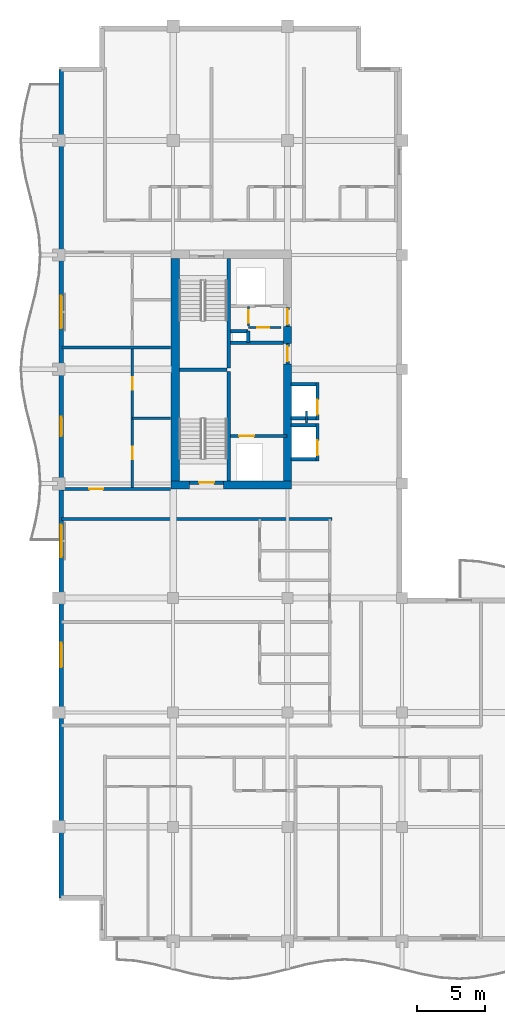
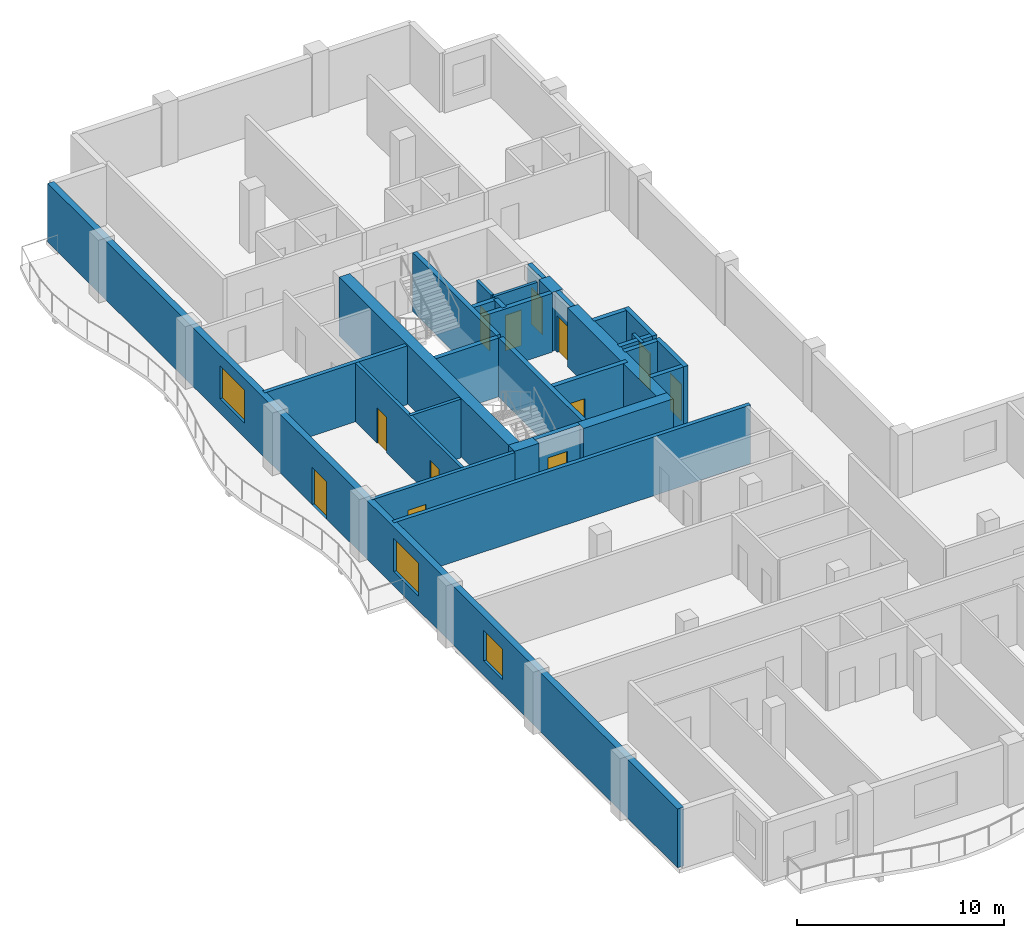
# One storey, part 9 of 16: 30 walls, 12 doors, 3 windows, 15 openings.
"""IFC4 building model written with IfcOpenShell, lengths in metres."""

from ifc_helpers import new_model, si_unit, direction, frame, frame_2d, origin, place, context, subcontext, project, spatial, rectangle, extrude, material, layer, layer_set, type_object, element, fill, save


model = new_model("IFC4")

# Units and contexts
model_context = context("Model", 3, precision=1e-05, world=origin(), true_north=direction((0.0, 1.0)))
body_context = subcontext(model_context, "Body", "Model", "MODEL_VIEW")
ifc_project = project(units=[si_unit("LENGTHUNIT", "METRE"), si_unit("AREAUNIT", "SQUARE_METRE"), si_unit("VOLUMEUNIT", "CUBIC_METRE"), si_unit("PLANEANGLEUNIT", "RADIAN"), si_unit("MASSUNIT", "GRAM", prefix="KILO")], contexts=[model_context])

# Site, building, storey
site_placement = place(None, origin())
site = spatial("IfcSite", under=ifc_project, at=site_placement, CompositionType="ELEMENT")
building_placement = place(site_placement, origin())
building = spatial("IfcBuilding", under=site, at=building_placement, Name="Koriwani Terraces Tower", CompositionType="ELEMENT")
storey_placement = place(building_placement, frame((0.0, 0.0, 260.10009765625)))
storey = spatial("IfcBuildingStorey", under=building, at=storey_placement, Name="L64", CompositionType="ELEMENT", Elevation=260.10009765625)

# Walls
ifc_material_1 = material(Name="Concrete C60/75", Category="concrete")
ifc_layer_1 = layer(ifc_material_1, 0.60009765625, Name="Concrete C60/75")
ifc_layer_set_1 = layer_set([ifc_layer_1], Name="Concrete C60/75")
wall_type_1 = type_object("IfcWallType", Name="WALL_CORE_RC_600", PredefinedType="SHEAR", material=ifc_layer_set_1)
wall_1_placement = place(storey_placement, frame((16.64990234375, 41.89990234375, 0.0), z_axis=(0.0, 0.0, 1.0), x_axis=(1.0, 0.0, 0.0)))
element("IfcWall", 1, at=wall_1_placement, inside=storey, type_object=wall_type_1, Name="L64 West Split Core Shear Wall S1", PredefinedType="SHEAR", context=body_context, shape_type="SweptSolid", body=[
    extrude(rectangle(XDim=1.35009765625, YDim=0.60009765625, at=frame_2d((0.675048828125, 0.0))), origin(), (0.0, 0.0, 1.0), 3.469970703125),
])
wall_2_placement = place(storey_placement, frame((20.5, 41.89990234375, 0.0), z_axis=(0.0, 0.0, 1.0), x_axis=(1.0, 0.0, 0.0)))
element("IfcWall", 2, at=wall_2_placement, inside=storey, type_object=wall_type_1, Name="L64 West Split Core Shear Wall S2", PredefinedType="SHEAR", context=body_context, shape_type="SweptSolid", body=[
    extrude(rectangle(XDim=5.0, YDim=0.60009765625, at=frame_2d((2.5, 0.0))), origin(), (0.0, 0.0, 1.0), 3.469970703125),
])
wall_3_placement = place(storey_placement, frame((16.949951171875, 42.199951171875, 0.0), z_axis=(0.0, 0.0, 1.0), x_axis=(0.0, 1.0, 0.0)))
element("IfcWall", 3, at=wall_3_placement, inside=storey, type_object=wall_type_1, Name="L64 West Split Core Shear Wall W1", PredefinedType="SHEAR", context=body_context, shape_type="SweptSolid", body=[
    extrude(rectangle(XDim=16.35009765625, YDim=0.60009765625, at=frame_2d((8.175048828125, 0.0))), origin(), (0.0, 0.0, 1.0), 3.469970703125),
])
wall_4_placement = place(storey_placement, frame((25.199951171875, 42.199951171875, 0.0), z_axis=(0.0, 0.0, 1.0), x_axis=(0.0, 1.0, 0.0)))
element("IfcWall", 4, at=wall_4_placement, inside=storey, type_object=wall_type_1, Name="L64 West Split Core Shear Wall E1", PredefinedType="SHEAR", context=body_context, shape_type="SweptSolid", body=[
    extrude(rectangle(XDim=8.60009765625, YDim=0.60009765625, at=frame_2d((4.300048828125, 0.0))), origin(), (0.0, 0.0, 1.0), 3.469970703125),
])
wall_5_placement = place(storey_placement, frame((25.199951171875, 52.280029296875, 0.0), z_axis=(0.0, 0.0, 1.0), x_axis=(0.0, 1.0, 0.0)))
element("IfcWall", 5, at=wall_5_placement, inside=storey, type_object=wall_type_1, Name="L64 West Split Core Shear Wall E2", PredefinedType="SHEAR", context=body_context, shape_type="SweptSolid", body=[
    extrude(rectangle(XDim=1.27001953125, YDim=0.60009765625, at=frame_2d((0.635009765625, 0.0))), origin(), (0.0, 0.0, 1.0), 3.469970703125),
])

# Wall, opening, door
ifc_material_2 = material(Name="Autoclaved Cellular Concrete Blockwork", Category="masonry")
ifc_layer_2 = layer(ifc_material_2, 0.199951171875, Name="Autoclaved Cellular Concrete Blockwork")
ifc_layer_set_2 = layer_set([ifc_layer_2], Name="Autoclaved Cellular Concrete Blockwork")
wall_type_2 = type_object("IfcWallType", Name="WALL_CORRIDOR_200", PredefinedType="PARTITIONING", material=ifc_layer_set_2)
wall_6_placement = place(storey_placement, frame((8.64990234375, 41.60009765625, 0.0), z_axis=(0.0, 0.0, 1.0), x_axis=(1.0, 0.0, 0.0)))
wall_6 = element("IfcWall", 6, at=wall_6_placement, inside=storey, type_object=wall_type_2, Name="L64 Interior Wall WRZ4-WS-L64", PredefinedType="PARTITIONING", context=body_context, shape_type="SweptSolid", body=[
    extrude(rectangle(XDim=7.9501953125, YDim=0.199951171875, at=frame_2d((3.97509765625, 0.0))), origin(), (0.0, 0.0, 1.0), 3.469970703125),
])
opening_1_placement = place(wall_6_placement, frame((2.0, 0.0, 0.0)))
opening_1 = element("IfcOpeningElement", 7, at=opening_1_placement, cuts=wall_6, Name="Opening D-05", PredefinedType="OPENING", context=body_context, shape_type="SweptSolid", body=[
    extrude(rectangle(XDim=1.0, YDim=2.14990234375, at=frame_2d((0.5, 1.074951171875))), frame((0.0, 0.10986328125, 0.0), z_axis=(0.0, -1.0, 0.0), x_axis=(1.0, 0.0, 0.0)), (0.0, 0.0, 1.0), 0.219970703125),
])
ifc_material_3 = material(Name="Architectural Oak Fire Door", Category="wood")
door_type_1 = type_object("IfcDoorType", Name="DOOR_SUITE_ENTRY_1000X2150", OperationType="NOTDEFINED", PredefinedType="DOOR", material=ifc_material_3)
door_1_placement = place(opening_1_placement, origin())
door_1 = element("IfcDoor", 8, at=door_1_placement, inside=storey, type_object=door_type_1, Name="Apartment 64RW1 Entrance Door", OperationType="SINGLE_SWING_LEFT", OverallHeight=2.14990234375, OverallWidth=1.0, PredefinedType="DOOR", context=body_context, shape_type="SweptSolid", body=[
    extrude(rectangle(XDim=1.0, YDim=2.14990234375, at=frame_2d((0.5, 1.074951171875))), frame((0.0, 0.02490234375, 0.0), z_axis=(0.0, -1.0, 0.0), x_axis=(1.0, 0.0, 0.0)), (0.0, 0.0, 1.0), 0.050048828125),
])
fill(opening_1, door_1)

# Walls
ifc_layer_3 = layer(ifc_material_2, 0.219970703125, Name="Autoclaved Cellular Concrete Blockwork")
ifc_layer_set_3 = layer_set([ifc_layer_3], Name="Autoclaved Cellular Concrete Blockwork")
wall_type_3 = type_object("IfcWallType", Name="WALL_DEMISING_220", PredefinedType="PARTITIONING", material=ifc_layer_set_3)
wall_7_placement = place(storey_placement, frame((8.64990234375, 52.0, 0.0), z_axis=(0.0, 0.0, 1.0), x_axis=(1.0, 0.0, 0.0)))
element("IfcWall", 9, at=wall_7_placement, inside=storey, type_object=wall_type_3, Name="L64 Interior Wall WRZ4-WM-L64", PredefinedType="PARTITIONING", context=body_context, shape_type="SweptSolid", body=[
    extrude(rectangle(XDim=7.9501953125, YDim=0.219970703125, at=frame_2d((3.97509765625, 0.0))), origin(), (0.0, 0.0, 1.0), 3.469970703125),
])
wall_8_placement = place(storey_placement, frame((8.60009765625, 39.39990234375, 0.0), z_axis=(0.0, 0.0, 1.0), x_axis=(1.0, 0.0, 0.0)))
element("IfcWall", 10, at=wall_8_placement, inside=storey, type_object=wall_type_3, Name="L64 Interior Wall WRDEME-L64-NE", PredefinedType="PARTITIONING", context=body_context, shape_type="SweptSolid", body=[
    extrude(rectangle(XDim=19.8798828125, YDim=0.219970703125, at=frame_2d((9.93994140625, 0.0))), origin(), (0.0, 0.0, 1.0), 3.469970703125),
])

# Wall, openings, door, windows
ifc_material_4 = material(Name="Concrete C50/60", Category="concrete")
ifc_layer_4 = layer(ifc_material_4, 0.35009765625, Name="Concrete C50/60")
ifc_layer_set_4 = layer_set([ifc_layer_4], Name="Concrete C50/60")
wall_type_4 = type_object("IfcWallType", Name="WALL_EXT_BRUTALIST_350", PredefinedType="STANDARD", material=ifc_layer_set_4)
wall_9_placement = place(storey_placement, frame((8.574951171875, 11.574951171875, 0.0), z_axis=(0.0, 0.0, 1.0), x_axis=(0.0, 1.0, 0.0)))
wall_9 = element("IfcWall", 11, at=wall_9_placement, inside=storey, type_object=wall_type_4, Name="L64 Fair-Faced Brutalist Exterior Wall (W)", PredefinedType="STANDARD", context=body_context, shape_type="SweptSolid", body=[
    extrude(rectangle(XDim=60.85009765625, YDim=0.35009765625, at=frame_2d((30.425048828125, 0.0))), origin(), (0.0, 0.0, 1.0), 3.469970703125),
])
opening_2_placement = place(wall_9_placement, frame((33.925048828125, 0.0, 0.0)))
opening_2 = element("IfcOpeningElement", 12, at=opening_2_placement, cuts=wall_9, Name="Opening D-09", PredefinedType="OPENING", context=body_context, shape_type="SweptSolid", body=[
    extrude(rectangle(XDim=1.39990234375, YDim=2.199951171875, at=frame_2d((0.699951171875, 1.10009765625))), frame((0.0, 0.18505859375, 0.0), z_axis=(0.0, -1.0, 0.0), x_axis=(1.0, 0.0, 0.0)), (0.0, 0.0, 1.0), 0.3701171875),
])
opening_3_placement = place(wall_9_placement, frame((16.925048828125, 0.0, 0.85009765625)))
opening_3 = element("IfcOpeningElement", 13, at=opening_3_placement, cuts=wall_9, Name="Opening W-04", PredefinedType="OPENING", context=body_context, shape_type="SweptSolid", body=[
    extrude(rectangle(XDim=1.800048828125, YDim=1.800048828125, at=frame_2d((0.89990234375, 0.89990234375))), frame((0.0, 0.18505859375, 0.0), z_axis=(0.0, -1.0, 0.0), x_axis=(1.0, 0.0, 0.0)), (0.0, 0.0, 1.0), 0.3701171875),
])
opening_4_placement = place(wall_9_placement, frame((25.02490234375, 0.0, 0.85009765625)))
opening_4 = element("IfcOpeningElement", 14, at=opening_4_placement, cuts=wall_9, Name="Opening W-03", PredefinedType="OPENING", context=body_context, shape_type="SweptSolid", body=[
    extrude(rectangle(XDim=2.39990234375, YDim=1.949951171875, at=frame_2d((1.199951171875, 0.97509765625))), frame((0.0, 0.18505859375, 0.0), z_axis=(0.0, -1.0, 0.0), x_axis=(1.0, 0.0, 0.0)), (0.0, 0.0, 1.0), 0.3701171875),
])
opening_5_placement = place(wall_9_placement, frame((41.824951171875, 0.0, 0.85009765625)))
opening_5 = element("IfcOpeningElement", 15, at=opening_5_placement, cuts=wall_9, Name="Opening W-03", PredefinedType="OPENING", context=body_context, shape_type="SweptSolid", body=[
    extrude(rectangle(XDim=2.39990234375, YDim=1.949951171875, at=frame_2d((1.199951171875, 0.97509765625))), frame((0.0, 0.18505859375, 0.0), z_axis=(0.0, -1.0, 0.0), x_axis=(1.0, 0.0, 0.0)), (0.0, 0.0, 1.0), 0.3701171875),
])
ifc_material_5 = material(Name="Anodised Bronze Aluminium", Category="aluminium")
door_type_2 = type_object("IfcDoorType", Name="DOOR_BALCONY_GLAZED_1400X2200", OperationType="NOTDEFINED", PredefinedType="DOOR", material=ifc_material_5)
door_2_placement = place(opening_2_placement, origin())
door_2 = element("IfcDoor", 16, at=door_2_placement, inside=storey, type_object=door_type_2, Name="L64 West Balcony Glazed Door", OperationType="SINGLE_SWING_LEFT", OverallHeight=2.199951171875, OverallWidth=1.39990234375, PredefinedType="DOOR", context=body_context, shape_type="SweptSolid", body=[
    extrude(rectangle(XDim=1.39990234375, YDim=2.199951171875, at=frame_2d((0.699951171875, 1.10009765625))), frame((0.0, 0.02490234375, 0.0), z_axis=(0.0, -1.0, 0.0), x_axis=(1.0, 0.0, 0.0)), (0.0, 0.0, 1.0), 0.050048828125),
])
fill(opening_2, door_2)
ifc_material_6 = material(Name="Tempered Laminated Low-E Glass", Category="glass")
window_type_1 = type_object("IfcWindowType", Name="WIN_RES_BED_1800X1800", PartitioningType="DOUBLE_PANEL_VERTICAL", PredefinedType="WINDOW", material=ifc_material_6)
window_1_placement = place(opening_3_placement, origin())
window_1 = element("IfcWindow", 17, at=window_1_placement, inside=storey, type_object=window_type_1, Name="L64 Exterior Window (W-6)", OverallHeight=1.800048828125, OverallWidth=1.800048828125, PartitioningType="SINGLE_PANEL", PredefinedType="WINDOW", context=body_context, shape_type="SweptSolid", body=[
    extrude(rectangle(XDim=1.800048828125, YDim=1.800048828125, at=frame_2d((0.89990234375, 0.89990234375))), frame((0.0, 0.030029296875, 0.0), z_axis=(0.0, -1.0, 0.0), x_axis=(1.0, 0.0, 0.0)), (0.0, 0.0, 1.0), 0.06005859375),
])
fill(opening_3, window_1)
window_type_2 = type_object("IfcWindowType", Name="WIN_RES_LIVING_2400X1950", PartitioningType="DOUBLE_PANEL_VERTICAL", PredefinedType="WINDOW", material=ifc_material_6)
window_2_placement = place(opening_4_placement, origin())
window_2 = element("IfcWindow", 18, at=window_2_placement, inside=storey, type_object=window_type_2, Name="L64 Exterior Window (W-9)", OverallHeight=1.949951171875, OverallWidth=2.39990234375, PartitioningType="SINGLE_PANEL", PredefinedType="WINDOW", context=body_context, shape_type="SweptSolid", body=[
    extrude(rectangle(XDim=2.39990234375, YDim=1.949951171875, at=frame_2d((1.199951171875, 0.97509765625))), frame((0.0, 0.030029296875, 0.0), z_axis=(0.0, -1.0, 0.0), x_axis=(1.0, 0.0, 0.0)), (0.0, 0.0, 1.0), 0.06005859375),
])
fill(opening_4, window_2)
window_3_placement = place(opening_5_placement, origin())
window_3 = element("IfcWindow", 19, at=window_3_placement, inside=storey, type_object=window_type_2, Name="L64 Exterior Window (W-15)", OverallHeight=1.949951171875, OverallWidth=2.39990234375, PartitioningType="SINGLE_PANEL", PredefinedType="WINDOW", context=body_context, shape_type="SweptSolid", body=[
    extrude(rectangle(XDim=2.39990234375, YDim=1.949951171875, at=frame_2d((1.199951171875, 0.97509765625))), frame((0.0, 0.030029296875, 0.0), z_axis=(0.0, -1.0, 0.0), x_axis=(1.0, 0.0, 0.0)), (0.0, 0.0, 1.0), 0.06005859375),
])
fill(opening_5, window_3)

# Wall, openings, doors
ifc_material_7 = material(Name="Fire-Rated Acoustic Gypsum Partition", Category="masonry")
ifc_layer_5 = layer(ifc_material_7, 0.179931640625, Name="Fire-Rated Acoustic Gypsum Partition")
ifc_layer_set_5 = layer_set([ifc_layer_5], Name="Fire-Rated Acoustic Gypsum Partition")
wall_type_5 = type_object("IfcWallType", Name="WALL_PLUMBING_180", PredefinedType="PLUMBINGWALL", material=ifc_layer_set_5)
wall_10_placement = place(storey_placement, frame((13.800048828125, 41.699951171875, 0.0), z_axis=(0.0, 0.0, 1.0), x_axis=(0.0, 1.0, 0.0)))
wall_10 = element("IfcWall", 20, at=wall_10_placement, inside=storey, type_object=wall_type_5, Name="L64 Interior Wall WRZ4-RW1-PB-L64", PredefinedType="PLUMBINGWALL", context=body_context, shape_type="SweptSolid", body=[
    extrude(rectangle(XDim=10.199951171875, YDim=0.179931640625, at=frame_2d((5.10009765625, 0.0))), origin(), (0.0, 0.0, 1.0), 3.469970703125),
])
opening_6_placement = place(wall_10_placement, frame((2.10009765625, 0.0, 0.0)))
opening_6 = element("IfcOpeningElement", 21, at=opening_6_placement, cuts=wall_10, Name="Opening D-07", PredefinedType="OPENING", context=body_context, shape_type="SweptSolid", body=[
    extrude(rectangle(XDim=0.89990234375, YDim=2.10009765625, at=frame_2d((0.449951171875, 1.050048828125))), frame((0.0, 0.10009765625, 0.0), z_axis=(0.0, -1.0, 0.0), x_axis=(1.0, 0.0, 0.0)), (0.0, 0.0, 1.0), 0.199951171875),
])
opening_7_placement = place(wall_10_placement, frame((7.18994140625, 0.0, 0.0)))
opening_7 = element("IfcOpeningElement", 22, at=opening_7_placement, cuts=wall_10, Name="Opening D-06", PredefinedType="OPENING", context=body_context, shape_type="SweptSolid", body=[
    extrude(rectangle(XDim=0.919921875, YDim=2.10009765625, at=frame_2d((0.4599609375, 1.050048828125))), frame((0.0, 0.10009765625, 0.0), z_axis=(0.0, -1.0, 0.0), x_axis=(1.0, 0.0, 0.0)), (0.0, 0.0, 1.0), 0.199951171875),
])
door_type_3 = type_object("IfcDoorType", Name="DOOR_BATH_INT_900X2100", OperationType="NOTDEFINED", PredefinedType="DOOR", material=ifc_material_3)
door_3_placement = place(opening_6_placement, origin())
door_3 = element("IfcDoor", 23, at=door_3_placement, inside=storey, type_object=door_type_3, Name="Apartment 64RW1 Bathroom Door", OperationType="SINGLE_SWING_LEFT", OverallHeight=2.10009765625, OverallWidth=0.89990234375, PredefinedType="DOOR", context=body_context, shape_type="SweptSolid", body=[
    extrude(rectangle(XDim=0.89990234375, YDim=2.10009765625, at=frame_2d((0.449951171875, 1.050048828125))), frame((0.0, 0.02490234375, 0.0), z_axis=(0.0, -1.0, 0.0), x_axis=(1.0, 0.0, 0.0)), (0.0, 0.0, 1.0), 0.050048828125),
])
fill(opening_6, door_3)
door_type_4 = type_object("IfcDoorType", Name="DOOR_ROOM_INT_920X2100", OperationType="NOTDEFINED", PredefinedType="DOOR", material=ifc_material_3)
door_4_placement = place(opening_7_placement, origin())
door_4 = element("IfcDoor", 24, at=door_4_placement, inside=storey, type_object=door_type_4, Name="Apartment 64RW1 Kitchen Door", OperationType="SINGLE_SWING_RIGHT", OverallHeight=2.10009765625, OverallWidth=0.919921875, PredefinedType="DOOR", context=body_context, shape_type="SweptSolid", body=[
    extrude(rectangle(XDim=0.919921875, YDim=2.10009765625, at=frame_2d((0.4599609375, 1.050048828125))), frame((0.0, 0.02490234375, 0.0), z_axis=(0.0, -1.0, 0.0), x_axis=(1.0, 0.0, 0.0)), (0.0, 0.0, 1.0), 0.050048828125),
])
fill(opening_7, door_4)

# Walls
wall_11_placement = place(storey_placement, frame((13.800048828125, 46.800048828125, 0.0), z_axis=(0.0, 0.0, 1.0), x_axis=(1.0, 0.0, 0.0)))
element("IfcWall", 25, at=wall_11_placement, inside=storey, type_object=wall_type_5, Name="L64 Interior Wall WRZ4-RW1-P2-L64", PredefinedType="PLUMBINGWALL", context=body_context, shape_type="SweptSolid", body=[
    extrude(rectangle(XDim=2.800048828125, YDim=0.179931640625, at=frame_2d((1.39990234375, 0.0))), origin(), (0.0, 0.0, 1.0), 3.469970703125),
])
ifc_material_8 = material(Name="Concrete C40/50", Category="concrete")
ifc_layer_6 = layer(ifc_material_8, 0.25, Name="Concrete C40/50")
ifc_layer_set_6 = layer_set([ifc_layer_6], Name="Concrete C40/50")
wall_type_6 = type_object("IfcWallType", Name="WALL_SHAFT_RATED_250", PredefinedType="SOLIDWALL", material=ifc_layer_set_6)
for number, where, z_axis, x_axis, name in (
    (26, (20.875, 42.199951171875, 0.0), (0.0, 0.0, 1.0), (0.0, 1.0, 0.0), "L64 West Split Core Web Wall MID1"),
    (27, (20.875, 50.5, 0.0), (0.0, 0.0, 1.0), (0.0, 1.0, 0.0), "L64 West Split Core Web Wall MID2"),
):
    element("IfcWall", number, at=place(storey_placement, frame(where, z_axis=z_axis, x_axis=x_axis)), inside=storey, type_object=wall_type_6, Name=name, PredefinedType="SOLIDWALL", context=body_context, shape_type="SweptSolid", body=[
        extrude(rectangle(XDim=8.050048828125, YDim=0.25, at=frame_2d((4.02490234375, 0.0))), origin(), (0.0, 0.0, 1.0), 3.469970703125),
    ])
wall_12_placement = place(storey_placement, frame((17.25, 50.375, 0.0), z_axis=(0.0, 0.0, 1.0), x_axis=(1.0, 0.0, 0.0)))
element("IfcWall", 28, at=wall_12_placement, inside=storey, type_object=wall_type_6, Name="L64 West Split Core Stair Dividing Wall", PredefinedType="SOLIDWALL", context=body_context, shape_type="SweptSolid", body=[
    extrude(rectangle(XDim=3.5, YDim=0.25, at=frame_2d((1.75, 0.0))), origin(), (0.0, 0.0, 1.0), 3.469970703125),
])

# Wall, opening, door
wall_13_placement = place(storey_placement, frame((18.0, 42.074951171875, 0.0), z_axis=(0.0, 0.0, 1.0), x_axis=(1.0, 0.0, 0.0)))
wall_13 = element("IfcWall", 29, at=wall_13_placement, inside=storey, type_object=wall_type_6, Name="L64 Interior Wall WIN-CW-L64-STS", PredefinedType="SOLIDWALL", context=body_context, shape_type="SweptSolid", body=[
    extrude(rectangle(XDim=2.5, YDim=0.25, at=frame_2d((1.25, 0.0))), origin(), (0.0, 0.0, 1.0), 3.469970703125),
])
opening_8_placement = place(wall_13_placement, frame((0.699951171875, 0.0, 0.0)))
opening_8 = element("IfcOpeningElement", 30, at=opening_8_placement, cuts=wall_13, Name="Opening D-03", PredefinedType="OPENING", context=body_context, shape_type="SweptSolid", body=[
    extrude(rectangle(XDim=1.10009765625, YDim=2.14990234375, at=frame_2d((0.550048828125, 1.074951171875))), frame((0.0, 0.135009765625, 0.0), z_axis=(0.0, -1.0, 0.0), x_axis=(1.0, 0.0, 0.0)), (0.0, 0.0, 1.0), 0.27001953125),
])
ifc_material_9 = material(Name="Steel ASTM A572 Grade 50", Category="steel")
door_type_5 = type_object("IfcDoorType", Name="DOOR_STAIR_FIRE_1100X2150", OperationType="NOTDEFINED", PredefinedType="DOOR", material=ifc_material_9)
door_5_placement = place(opening_8_placement, origin())
door_5 = element("IfcDoor", 31, at=door_5_placement, inside=storey, type_object=door_type_5, Name="L64 Exit Stair ST-W1 Door", OperationType="SINGLE_SWING_RIGHT", OverallHeight=2.14990234375, OverallWidth=1.10009765625, PredefinedType="DOOR", context=body_context, shape_type="SweptSolid", body=[
    extrude(rectangle(XDim=1.10009765625, YDim=2.14990234375, at=frame_2d((0.550048828125, 1.074951171875))), frame((0.0, 0.02490234375, 0.0), z_axis=(0.0, -1.0, 0.0), x_axis=(1.0, 0.0, 0.0)), (0.0, 0.0, 1.0), 0.050048828125),
])
fill(opening_8, door_5)

wall_14_placement = place(storey_placement, frame((21.0, 45.5, 0.0), z_axis=(0.0, 0.0, 1.0), x_axis=(1.0, 0.0, 0.0)))
wall_14 = element("IfcWall", 32, at=wall_14_placement, inside=storey, type_object=wall_type_6, Name="L64 Interior Wall WIN-CW-L64-FE", PredefinedType="SOLIDWALL", context=body_context, shape_type="SweptSolid", body=[
    extrude(rectangle(XDim=4.14990234375, YDim=0.25, at=frame_2d((2.074951171875, 0.0))), origin(), (0.0, 0.0, 1.0), 3.469970703125),
])
opening_9_placement = place(wall_14_placement, frame((0.64990234375, 0.0, 0.0)))
opening_9 = element("IfcOpeningElement", 33, at=opening_9_placement, cuts=wall_14, Name="Opening LD-01", PredefinedType="OPENING", context=body_context, shape_type="SweptSolid", body=[
    extrude(rectangle(XDim=1.10009765625, YDim=2.14990234375, at=frame_2d((0.550048828125, 1.074951171875))), frame((0.0, 0.135009765625, 0.0), z_axis=(0.0, -1.0, 0.0), x_axis=(1.0, 0.0, 0.0)), (0.0, 0.0, 1.0), 0.27001953125),
])
door_type_6 = type_object("IfcDoorType", Name="DOOR_LIFT_LANDING_1100X2200", OperationType="NOTDEFINED", PredefinedType="DOOR", material=ifc_material_9)
door_6_placement = place(opening_9_placement, origin())
door_6 = element("IfcDoor", 34, at=door_6_placement, inside=storey, type_object=door_type_6, Name="L64 Firefighting Lift FE-01 Landing Door", OperationType="SLIDING_TO_LEFT", OverallHeight=2.14990234375, OverallWidth=1.10009765625, PredefinedType="DOOR", context=body_context, shape_type="SweptSolid", body=[
    extrude(rectangle(XDim=1.10009765625, YDim=2.14990234375, at=frame_2d((0.550048828125, 1.074951171875))), frame((0.0, 0.02490234375, 0.0), z_axis=(0.0, -1.0, 0.0), x_axis=(1.0, 0.0, 0.0)), (0.0, 0.0, 1.0), 0.050048828125),
])
fill(opening_9, door_6)

wall_15_placement = place(storey_placement, frame((25.199951171875, 50.800048828125, 0.0), z_axis=(0.0, 0.0, 1.0), x_axis=(0.0, 1.0, 0.0)))
wall_15 = element("IfcWall", 35, at=wall_15_placement, inside=storey, type_object=wall_type_6, Name="L64 Interior Wall WIN-CW-L64-EP", PredefinedType="SOLIDWALL", context=body_context, shape_type="SweptSolid", body=[
    extrude(rectangle(XDim=1.47998046875, YDim=0.25, at=frame_2d((0.739990234375, 0.0))), origin(), (0.0, 0.0, 1.0), 3.469970703125),
])
opening_10_placement = place(wall_15_placement, frame((0.179931640625, 0.0, 0.0)))
opening_10 = element("IfcOpeningElement", 36, at=opening_10_placement, cuts=wall_15, Name="Opening D-03", PredefinedType="OPENING", context=body_context, shape_type="SweptSolid", body=[
    extrude(rectangle(XDim=1.10009765625, YDim=2.14990234375, at=frame_2d((0.550048828125, 1.074951171875))), frame((0.0, 0.135009765625, 0.0), z_axis=(0.0, -1.0, 0.0), x_axis=(1.0, 0.0, 0.0)), (0.0, 0.0, 1.0), 0.27001953125),
])
door_7_placement = place(opening_10_placement, origin())
door_7 = element("IfcDoor", 37, at=door_7_placement, inside=storey, type_object=door_type_5, Name="L64 West Firefighting Lobby Door", OperationType="SINGLE_SWING_RIGHT", OverallHeight=2.14990234375, OverallWidth=1.10009765625, PredefinedType="DOOR", context=body_context, shape_type="SweptSolid", body=[
    extrude(rectangle(XDim=1.10009765625, YDim=2.14990234375, at=frame_2d((0.550048828125, 1.074951171875))), frame((0.0, 0.02490234375, 0.0), z_axis=(0.0, -1.0, 0.0), x_axis=(1.0, 0.0, 0.0)), (0.0, 0.0, 1.0), 0.050048828125),
])
fill(opening_10, door_7)

# Wall
wall_16_placement = place(storey_placement, frame((21.0, 52.340087890625, 0.0), z_axis=(0.0, 0.0, 1.0), x_axis=(1.0, 0.0, 0.0)))
element("IfcWall", 38, at=wall_16_placement, inside=storey, type_object=wall_type_6, Name="L64 Interior Wall WIN-CW-L64-FFN", PredefinedType="SOLIDWALL", context=body_context, shape_type="SweptSolid", body=[
    extrude(rectangle(XDim=3.89990234375, YDim=0.25, at=frame_2d((1.949951171875, 0.0))), origin(), (0.0, 0.0, 1.0), 3.469970703125),
])

# Wall, opening, door
wall_17_placement = place(storey_placement, frame((25.199951171875, 53.550048828125, 0.0), z_axis=(0.0, 0.0, 1.0), x_axis=(0.0, 1.0, 0.0)))
wall_17 = element("IfcWall", 39, at=wall_17_placement, inside=storey, type_object=wall_type_6, Name="L64 Interior Wall WIN-CW-L64-EP2", PredefinedType="SOLIDWALL", context=body_context, shape_type="SweptSolid", body=[
    extrude(rectangle(XDim=1.39990234375, YDim=0.25, at=frame_2d((0.699951171875, 0.0))), origin(), (0.0, 0.0, 1.0), 3.469970703125),
])
opening_11_placement = place(wall_17_placement, frame((0.14990234375, 0.0, 0.0)))
opening_11 = element("IfcOpeningElement", 40, at=opening_11_placement, cuts=wall_17, Name="Opening D-03", PredefinedType="OPENING", context=body_context, shape_type="SweptSolid", body=[
    extrude(rectangle(XDim=1.10009765625, YDim=2.14990234375, at=frame_2d((0.550048828125, 1.074951171875))), frame((0.0, 0.135009765625, 0.0), z_axis=(0.0, -1.0, 0.0), x_axis=(1.0, 0.0, 0.0)), (0.0, 0.0, 1.0), 0.27001953125),
])
door_8_placement = place(opening_11_placement, origin())
door_8 = element("IfcDoor", 41, at=door_8_placement, inside=storey, type_object=door_type_5, Name="L64 West Goods Lift Lobby Door", OperationType="SINGLE_SWING_LEFT", OverallHeight=2.14990234375, OverallWidth=1.10009765625, PredefinedType="DOOR", context=body_context, shape_type="SweptSolid", body=[
    extrude(rectangle(XDim=1.10009765625, YDim=2.14990234375, at=frame_2d((0.550048828125, 1.074951171875))), frame((0.0, 0.02490234375, 0.0), z_axis=(0.0, -1.0, 0.0), x_axis=(1.0, 0.0, 0.0)), (0.0, 0.0, 1.0), 0.050048828125),
])
fill(opening_11, door_8)

# Walls
wall_18_placement = place(storey_placement, frame((21.0, 53.199951171875, 0.0), z_axis=(0.0, 0.0, 1.0), x_axis=(1.0, 0.0, 0.0)))
element("IfcWall", 42, at=wall_18_placement, inside=storey, type_object=wall_type_6, Name="L64 Interior Wall WIN-CW-L64-RS1", PredefinedType="SOLIDWALL", context=body_context, shape_type="SweptSolid", body=[
    extrude(rectangle(XDim=1.300048828125, YDim=0.25, at=frame_2d((0.64990234375, 0.0))), origin(), (0.0, 0.0, 1.0), 3.469970703125),
])
wall_19_placement = place(storey_placement, frame((22.300048828125, 52.360107421875, 0.0), z_axis=(0.0, 0.0, 1.0), x_axis=(0.0, 1.0, 0.0)))
element("IfcWall", 43, at=wall_19_placement, inside=storey, type_object=wall_type_6, Name="L64 Interior Wall WIN-CW-L64-RS2", PredefinedType="SOLIDWALL", context=body_context, shape_type="SweptSolid", body=[
    extrude(rectangle(XDim=0.83984375, YDim=0.25, at=frame_2d((0.419921875, 0.0))), origin(), (0.0, 0.0, 1.0), 3.469970703125),
])

# Wall, opening, door
wall_20_placement = place(storey_placement, frame((27.39990234375, 43.675048828125, 0.0), z_axis=(0.0, 0.0, 1.0), x_axis=(0.0, 1.0, 0.0)))
wall_20 = element("IfcWall", 44, at=wall_20_placement, inside=storey, type_object=wall_type_6, Name="L64 Interior Wall WIN-LF-PE-H1-L64-F", PredefinedType="SOLIDWALL", context=body_context, shape_type="SweptSolid", body=[
    extrude(rectangle(XDim=2.75, YDim=0.25, at=frame_2d((1.375, 0.0))), origin(), (0.0, 0.0, 1.0), 3.469970703125),
])
opening_12_placement = place(wall_20_placement, frame((0.39990234375, 0.0, 0.0)))
opening_12 = element("IfcOpeningElement", 45, at=opening_12_placement, cuts=wall_20, Name="Opening LD-01", PredefinedType="OPENING", context=body_context, shape_type="SweptSolid", body=[
    extrude(rectangle(XDim=1.10009765625, YDim=2.14990234375, at=frame_2d((0.550048828125, 1.074951171875))), frame((0.0, 0.135009765625, 0.0), z_axis=(0.0, -1.0, 0.0), x_axis=(1.0, 0.0, 0.0)), (0.0, 0.0, 1.0), 0.27001953125),
])
door_9_placement = place(opening_12_placement, origin())
door_9 = element("IfcDoor", 46, at=door_9_placement, inside=storey, type_object=door_type_6, Name="L64 Passenger Lift PE-H1 Landing Door", OperationType="SLIDING_TO_LEFT", OverallHeight=2.14990234375, OverallWidth=1.10009765625, PredefinedType="DOOR", context=body_context, shape_type="SweptSolid", body=[
    extrude(rectangle(XDim=1.10009765625, YDim=2.14990234375, at=frame_2d((0.550048828125, 1.074951171875))), frame((0.0, 0.02490234375, 0.0), z_axis=(0.0, -1.0, 0.0), x_axis=(1.0, 0.0, 0.0)), (0.0, 0.0, 1.0), 0.050048828125),
])
fill(opening_12, door_9)

# Walls
for number, where, z_axis, x_axis, name in (
    (47, (25.449951171875, 43.800048828125, 0.0), (0.0, 0.0, 1.0), (1.0, 0.0, 0.0), "L64 Interior Wall WIN-LF-PE-H1-L64-S"),
    (48, (25.449951171875, 46.300048828125, 0.0), (0.0, 0.0, 1.0), (1.0, 0.0, 0.0), "L64 Interior Wall WIN-LF-PE-H1-L64-N"),
):
    element("IfcWall", number, at=place(storey_placement, frame(where, z_axis=z_axis, x_axis=x_axis)), inside=storey, type_object=wall_type_6, Name=name, PredefinedType="SOLIDWALL", context=body_context, shape_type="SweptSolid", body=[
        extrude(rectangle(XDim=1.824951171875, YDim=0.25, at=frame_2d((0.91259765625, 0.0))), origin(), (0.0, 0.0, 1.0), 3.469970703125),
    ])

# Wall, opening, door
wall_21_placement = place(storey_placement, frame((27.39990234375, 46.675048828125, 0.0), z_axis=(0.0, 0.0, 1.0), x_axis=(0.0, 1.0, 0.0)))
wall_21 = element("IfcWall", 49, at=wall_21_placement, inside=storey, type_object=wall_type_6, Name="L64 Interior Wall WIN-LF-PE-H2-L64-F", PredefinedType="SOLIDWALL", context=body_context, shape_type="SweptSolid", body=[
    extrude(rectangle(XDim=2.75, YDim=0.25, at=frame_2d((1.375, 0.0))), origin(), (0.0, 0.0, 1.0), 3.469970703125),
])
opening_13_placement = place(wall_21_placement, frame((0.39990234375, 0.0, 0.0)))
opening_13 = element("IfcOpeningElement", 50, at=opening_13_placement, cuts=wall_21, Name="Opening LD-01", PredefinedType="OPENING", context=body_context, shape_type="SweptSolid", body=[
    extrude(rectangle(XDim=1.10009765625, YDim=2.14990234375, at=frame_2d((0.550048828125, 1.074951171875))), frame((0.0, 0.135009765625, 0.0), z_axis=(0.0, -1.0, 0.0), x_axis=(1.0, 0.0, 0.0)), (0.0, 0.0, 1.0), 0.27001953125),
])
door_10_placement = place(opening_13_placement, origin())
door_10 = element("IfcDoor", 51, at=door_10_placement, inside=storey, type_object=door_type_6, Name="L64 Passenger Lift PE-H2 Landing Door", OperationType="SLIDING_TO_LEFT", OverallHeight=2.14990234375, OverallWidth=1.10009765625, PredefinedType="DOOR", context=body_context, shape_type="SweptSolid", body=[
    extrude(rectangle(XDim=1.10009765625, YDim=2.14990234375, at=frame_2d((0.550048828125, 1.074951171875))), frame((0.0, 0.02490234375, 0.0), z_axis=(0.0, -1.0, 0.0), x_axis=(1.0, 0.0, 0.0)), (0.0, 0.0, 1.0), 0.050048828125),
])
fill(opening_13, door_10)

# Walls
for number, where, z_axis, x_axis, name in (
    (52, (25.449951171875, 46.800048828125, 0.0), (0.0, 0.0, 1.0), (1.0, 0.0, 0.0), "L64 Interior Wall WIN-LF-PE-H2-L64-S"),
    (53, (25.449951171875, 49.300048828125, 0.0), (0.0, 0.0, 1.0), (1.0, 0.0, 0.0), "L64 Interior Wall WIN-LF-PE-H2-L64-N"),
):
    element("IfcWall", number, at=place(storey_placement, frame(where, z_axis=z_axis, x_axis=x_axis)), inside=storey, type_object=wall_type_6, Name=name, PredefinedType="SOLIDWALL", context=body_context, shape_type="SweptSolid", body=[
        extrude(rectangle(XDim=1.824951171875, YDim=0.25, at=frame_2d((0.91259765625, 0.0))), origin(), (0.0, 0.0, 1.0), 3.469970703125),
    ])

# Wall, opening, door
ifc_layer_7 = layer(ifc_material_7, 0.159912109375, Name="Fire-Rated Acoustic Gypsum Partition")
ifc_layer_set_7 = layer_set([ifc_layer_7], Name="Fire-Rated Acoustic Gypsum Partition")
wall_type_7 = type_object("IfcWallType", Name="WALL_SUITE_160", PredefinedType="PARTITIONING", material=ifc_layer_set_7)
wall_22_placement = place(storey_placement, frame((22.320068359375, 53.56005859375, 0.0), z_axis=(0.0, 0.0, 1.0), x_axis=(0.0, 1.0, 0.0)))
wall_22 = element("IfcWall", 54, at=wall_22_placement, inside=storey, type_object=wall_type_7, Name="L64 Interior Wall WIN-CW-L64-SV1A", PredefinedType="PARTITIONING", context=body_context, shape_type="SweptSolid", body=[
    extrude(rectangle(XDim=1.43994140625, YDim=0.159912109375, at=frame_2d((0.719970703125, 0.0))), origin(), (0.0, 0.0, 1.0), 3.469970703125),
])
opening_14_placement = place(wall_22_placement, frame((0.260009765625, 0.0, 0.0)))
opening_14 = element("IfcOpeningElement", 55, at=opening_14_placement, cuts=wall_22, Name="Opening D-07", PredefinedType="OPENING", context=body_context, shape_type="SweptSolid", body=[
    extrude(rectangle(XDim=0.89990234375, YDim=2.10009765625, at=frame_2d((0.449951171875, 1.050048828125))), frame((0.0, 0.08984375, 0.0), z_axis=(0.0, -1.0, 0.0), x_axis=(1.0, 0.0, 0.0)), (0.0, 0.0, 1.0), 0.179931640625),
])
door_11_placement = place(opening_14_placement, origin())
door_11 = element("IfcDoor", 56, at=door_11_placement, inside=storey, type_object=door_type_3, Name="L64 West Telecom Room Door", OperationType="SINGLE_SWING_RIGHT", OverallHeight=2.10009765625, OverallWidth=0.89990234375, PredefinedType="DOOR", context=body_context, shape_type="SweptSolid", body=[
    extrude(rectangle(XDim=0.89990234375, YDim=2.10009765625, at=frame_2d((0.449951171875, 1.050048828125))), frame((0.0, 0.02490234375, 0.0), z_axis=(0.0, -1.0, 0.0), x_axis=(1.0, 0.0, 0.0)), (0.0, 0.0, 1.0), 0.050048828125),
])
fill(opening_14, door_11)

wall_23_placement = place(storey_placement, frame((22.320068359375, 53.4599609375, 0.0), z_axis=(0.0, 0.0, 1.0), x_axis=(1.0, 0.0, 0.0)))
wall_23 = element("IfcWall", 57, at=wall_23_placement, inside=storey, type_object=wall_type_7, Name="L64 Interior Wall WIN-CW-L64-SV1B", PredefinedType="PARTITIONING", context=body_context, shape_type="SweptSolid", body=[
    extrude(rectangle(XDim=2.39990234375, YDim=0.159912109375, at=frame_2d((1.199951171875, 0.0))), origin(), (0.0, 0.0, 1.0), 3.469970703125),
])
opening_15_placement = place(wall_23_placement, frame((0.64990234375, 0.0, 0.0)))
opening_15 = element("IfcOpeningElement", 58, at=opening_15_placement, cuts=wall_23, Name="Opening D-07", PredefinedType="OPENING", context=body_context, shape_type="SweptSolid", body=[
    extrude(rectangle(XDim=0.89990234375, YDim=2.10009765625, at=frame_2d((0.449951171875, 1.050048828125))), frame((0.0, 0.08984375, 0.0), z_axis=(0.0, -1.0, 0.0), x_axis=(1.0, 0.0, 0.0)), (0.0, 0.0, 1.0), 0.179931640625),
])
door_12_placement = place(opening_15_placement, origin())
door_12 = element("IfcDoor", 59, at=door_12_placement, inside=storey, type_object=door_type_3, Name="L64 West Cleaners Closet Door", OperationType="SINGLE_SWING_LEFT", OverallHeight=2.10009765625, OverallWidth=0.89990234375, PredefinedType="DOOR", context=body_context, shape_type="SweptSolid", body=[
    extrude(rectangle(XDim=0.89990234375, YDim=2.10009765625, at=frame_2d((0.449951171875, 1.050048828125))), frame((0.0, 0.02490234375, 0.0), z_axis=(0.0, -1.0, 0.0), x_axis=(1.0, 0.0, 0.0)), (0.0, 0.0, 1.0), 0.050048828125),
])
fill(opening_15, door_12)

# Wall
wall_24_placement = place(storey_placement, frame((26.60009765625, 46.4599609375, 0.0), z_axis=(0.0, 0.0, 1.0), x_axis=(0.0, 1.0, 0.0)))
element("IfcWall", 60, at=wall_24_placement, inside=storey, type_object=wall_type_7, Name="L64 Interior Wall WIN-LF-PEH12-MID-L64", PredefinedType="PARTITIONING", context=body_context, shape_type="SweptSolid", body=[
    extrude(rectangle(XDim=0.880126953125, YDim=0.159912109375, at=frame_2d((0.43994140625, 0.0))), origin(), (0.0, 0.0, 1.0), 3.469970703125),
])

save(model, "model.ifc")
